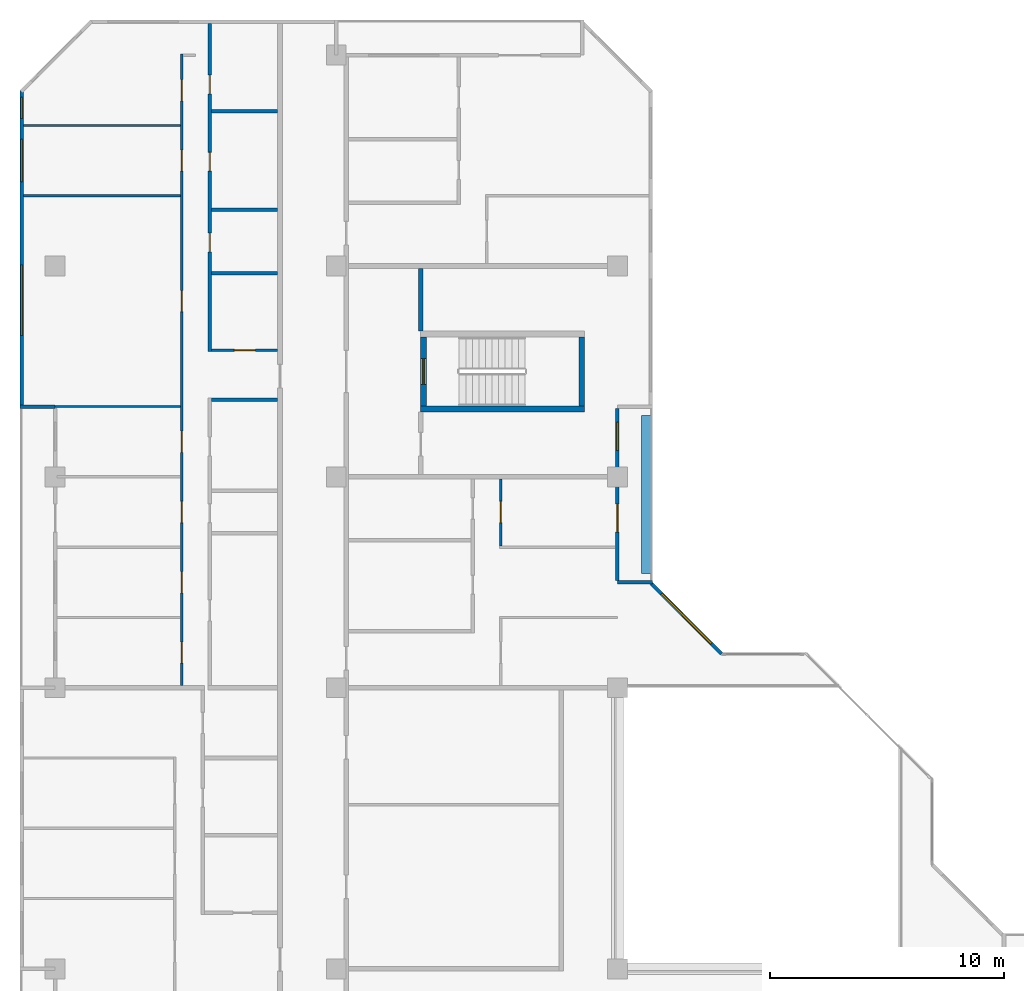
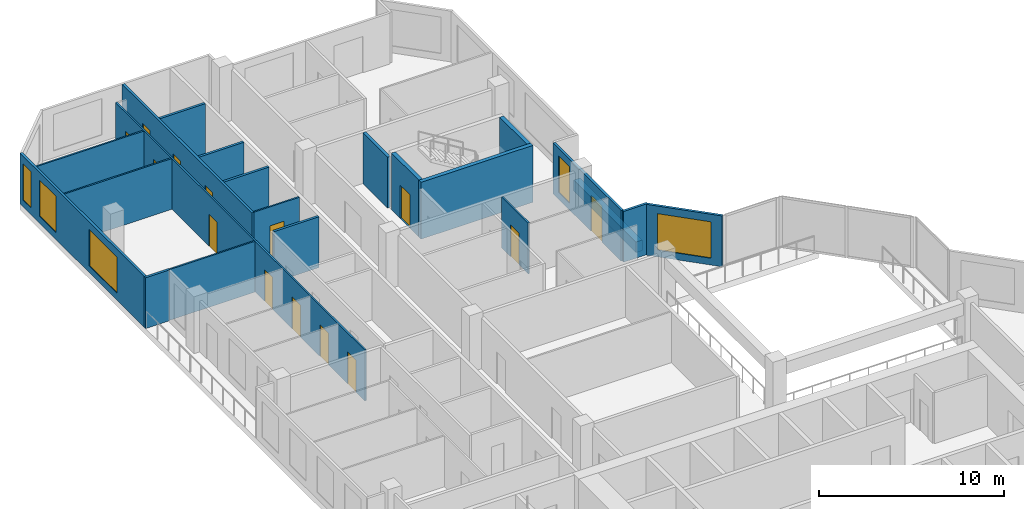
# One storey, part 10 of 15: 21 walls, 14 doors, 5 windows, 19 openings.
"""IFC4 building model written with IfcOpenShell, lengths in metres."""

from ifc_helpers import new_model, si_unit, direction, frame, frame_2d, origin, place, context, subcontext, project, spatial, rectangle, extrude, material, layer, layer_set, type_object, element, fill, save


model = new_model("IFC4")

# Units and contexts
model_context = context("Model", 3, precision=1e-05, world=origin(), true_north=direction((0.0, 1.0)))
body_context = subcontext(model_context, "Body", "Model", "MODEL_VIEW")
ifc_project = project(units=[si_unit("LENGTHUNIT", "METRE"), si_unit("AREAUNIT", "SQUARE_METRE"), si_unit("VOLUMEUNIT", "CUBIC_METRE"), si_unit("PLANEANGLEUNIT", "RADIAN"), si_unit("MASSUNIT", "GRAM", prefix="KILO")], contexts=[model_context])

# Site, building, storey
site_placement = place(None, origin())
site = spatial("IfcSite", under=ifc_project, at=site_placement, CompositionType="ELEMENT")
building_placement = place(site_placement, origin())
building = spatial("IfcBuilding", under=site, at=building_placement, Name="Chenar Terraces", CompositionType="ELEMENT")
storey_placement = place(building_placement, frame((0.0, 0.0, 249.14990234375)))
storey = spatial("IfcBuildingStorey", under=building, at=storey_placement, Name="L59", CompositionType="ELEMENT", Elevation=249.14990234375)

# Wall
ifc_material_1 = material(Name="Concrete C60/75", Category="concrete")
ifc_layer_1 = layer(ifc_material_1, 0.25)
ifc_layer_set_1 = layer_set([ifc_layer_1], Name="Concrete C60/75")
wall_type_1 = type_object("IfcWallType", Name="Core wall 250 Concrete C60/75", PredefinedType="SHEAR", material=ifc_layer_set_1)
wall_1_placement = place(storey_placement, frame((15.60009765625, 47.89990234375, 0.0), z_axis=(0.0, 0.0, 1.0), x_axis=(1.0, 0.0, 0.0)))
element("IfcWall", 1, at=wall_1_placement, inside=storey, type_object=wall_type_1, Name="Core wall ST4_S L59", PredefinedType="SHEAR", context=body_context, shape_type="SweptSolid", body=[
    extrude(rectangle(XDim=7.0, YDim=0.25, at=frame_2d((3.5, 0.0))), origin(), (0.0, 0.0, 1.0), 3.75),
])

# Wall, opening, door
wall_2_placement = place(storey_placement, frame((15.72509765625, 48.02490234375, 0.0), z_axis=(0.0, 0.0, 1.0), x_axis=(0.0, 1.0, 0.0)))
wall_2 = element("IfcWall", 2, at=wall_2_placement, inside=storey, type_object=wall_type_1, Name="Core wall ST4_W L59", PredefinedType="SHEAR", context=body_context, shape_type="SweptSolid", body=[
    extrude(rectangle(XDim=2.9501953125, YDim=0.25, at=frame_2d((1.47509765625, 0.0))), origin(), (0.0, 0.0, 1.0), 3.75),
])
opening_1_placement = place(wall_2_placement, frame((0.925048828125, 0.0, 0.0)))
opening_1 = element("IfcOpeningElement", 3, at=opening_1_placement, cuts=wall_2, Name="Opening DL59-C9", PredefinedType="OPENING", context=body_context, shape_type="SweptSolid", body=[
    extrude(rectangle(XDim=1.10009765625, YDim=2.199951171875, at=frame_2d((0.550048828125, 1.10009765625))), frame((0.0, 0.135009765625, 0.0), z_axis=(0.0, -1.0, 0.0), x_axis=(1.0, 0.0, 0.0)), (0.0, 0.0, 1.0), 0.27001953125),
])
ifc_material_2 = material(Name="Steel-framed fire-resisting door leaf", Category="steel")
door_type_1 = type_object("IfcDoorType", Name="Stair fire door FD60 1100 x 2200", OperationType="SINGLE_SWING_LEFT", PredefinedType="DOOR", material=ifc_material_2)
door_1_placement = place(opening_1_placement, frame((1.10009765625, 0.0, 0.0), z_axis=(0.0, 0.0, 1.0), x_axis=(-1.0, 0.0, 0.0)))
door_1 = element("IfcDoor", 4, at=door_1_placement, inside=storey, type_object=door_type_1, Name="Stair door DL59-C9", OperationType="SINGLE_SWING_RIGHT", OverallHeight=2.199951171875, OverallWidth=1.10009765625, PredefinedType="DOOR", context=body_context, shape_type="SweptSolid", body=[
    extrude(rectangle(XDim=1.10009765625, YDim=2.199951171875, at=frame_2d((0.550048828125, 1.10009765625))), frame((0.0, 0.02490234375, 0.0), z_axis=(0.0, -1.0, 0.0), x_axis=(1.0, 0.0, 0.0)), (0.0, 0.0, 1.0), 0.050048828125),
])
fill(opening_1, door_1)

# Walls
wall_3_placement = place(storey_placement, frame((22.47509765625, 48.02490234375, 0.0), z_axis=(0.0, 0.0, 1.0), x_axis=(0.0, 1.0, 0.0)))
element("IfcWall", 5, at=wall_3_placement, inside=storey, type_object=wall_type_1, Name="Core wall ST4_E L59", PredefinedType="SHEAR", context=body_context, shape_type="SweptSolid", body=[
    extrude(rectangle(XDim=2.9501953125, YDim=0.25, at=frame_2d((1.47509765625, 0.0))), origin(), (0.0, 0.0, 1.0), 3.75),
])
ifc_material_3 = material(Name="Gypsum board on steel studs with fire boards", Category="steel")
ifc_layer_2 = layer(ifc_material_3, 0.199951171875)
ifc_layer_set_2 = layer_set([ifc_layer_2], Name="Gypsum board on steel studs with fire boards")
wall_type_2 = type_object("IfcWallType", Name="Corridor wall 200", PredefinedType="PARTITIONING", material=ifc_layer_set_2)
wall_4_placement = place(storey_placement, frame((15.60009765625, 51.22509765625, 0.0), z_axis=(0.0, 0.0, 1.0), x_axis=(0.0, 1.0, 0.0)))
element("IfcWall", 6, at=wall_4_placement, inside=storey, type_object=wall_type_2, Name="Partition L59-047", PredefinedType="PARTITIONING", context=body_context, shape_type="SweptSolid", body=[
    extrude(rectangle(XDim=2.6748046875, YDim=0.199951171875, at=frame_2d((1.33740234375, 0.0))), origin(), (0.0, 0.0, 1.0), 3.35009765625),
])

# Wall, openings, windows
ifc_material_4 = material(Name="Aluminium framed glazing", Category="aluminium")
ifc_layer_3 = layer(ifc_material_4, 0.14990234375)
ifc_layer_set_3 = layer_set([ifc_layer_3], Name="Aluminium framed glazing")
wall_type_3 = type_object("IfcWallType", Name="Glazed flush facade wall 150", PredefinedType="SOLIDWALL", material=ifc_layer_set_3)
wall_5_placement = place(storey_placement, frame((-1.425048828125, 61.5, 0.0), z_axis=(0.0, 0.0, 1.0), x_axis=(0.0, -1.0, 0.0)))
wall_5 = element("IfcWall", 7, at=wall_5_placement, inside=storey, type_object=wall_type_3, Name="Glazed flush facade wall", PredefinedType="SOLIDWALL", context=body_context, shape_type="SweptSolid", body=[
    extrude(rectangle(XDim=13.425048828125, YDim=0.14990234375, at=frame_2d((6.71240234375, 0.0))), origin(), (0.0, 0.0, 1.0), 3.35009765625),
])
opening_2_placement = place(wall_5_placement, frame((0.300048828125, 0.0, 0.449951171875)))
opening_2 = element("IfcOpeningElement", 8, at=opening_2_placement, cuts=wall_5, Name="Opening W90x240", PredefinedType="OPENING", context=body_context, shape_type="SweptSolid", body=[
    extrude(rectangle(XDim=0.89990234375, YDim=2.39990234375, at=frame_2d((0.449951171875, 1.199951171875))), frame((0.0, 0.0849609375, 0.0), z_axis=(0.0, -1.0, 0.0), x_axis=(1.0, 0.0, 0.0)), (0.0, 0.0, 1.0), 0.169921875),
])
opening_3_placement = place(wall_5_placement, frame((2.10009765625, 0.0, 0.449951171875)))
opening_3 = element("IfcOpeningElement", 9, at=opening_3_placement, cuts=wall_5, Name="Opening W180x240", PredefinedType="OPENING", context=body_context, shape_type="SweptSolid", body=[
    extrude(rectangle(XDim=1.800048828125, YDim=2.39990234375, at=frame_2d((0.89990234375, 1.199951171875))), frame((0.0, 0.0849609375, 0.0), z_axis=(0.0, -1.0, 0.0), x_axis=(1.0, 0.0, 0.0)), (0.0, 0.0, 1.0), 0.169921875),
])
opening_4_placement = place(wall_5_placement, frame((7.46240234375, 0.0, 0.449951171875)))
opening_4 = element("IfcOpeningElement", 10, at=opening_4_placement, cuts=wall_5, Name="Opening W300x240", PredefinedType="OPENING", context=body_context, shape_type="SweptSolid", body=[
    extrude(rectangle(XDim=3.0, YDim=2.39990234375, at=frame_2d((1.5, 1.199951171875))), frame((0.0, 0.0849609375, 0.0), z_axis=(0.0, -1.0, 0.0), x_axis=(1.0, 0.0, 0.0)), (0.0, 0.0, 1.0), 0.169921875),
])
ifc_material_5 = material(Name="Low emissivity double glazing, aluminium frame", Category="aluminium")
window_type_1 = type_object("IfcWindowType", Name="Fixed light 1800 x 2400", PartitioningType="SINGLE_PANEL", PredefinedType="WINDOW", material=ifc_material_5)
window_1_placement = place(opening_3_placement, origin())
window_1 = element("IfcWindow", 11, at=window_1_placement, inside=storey, type_object=window_type_1, Name="Window", OverallHeight=2.39990234375, OverallWidth=1.800048828125, PartitioningType="SINGLE_PANEL", PredefinedType="WINDOW", context=body_context, shape_type="SweptSolid", body=[
    extrude(rectangle(XDim=1.800048828125, YDim=2.39990234375, at=frame_2d((0.89990234375, 1.199951171875))), frame((0.0, 0.030029296875, 0.0), z_axis=(0.0, -1.0, 0.0), x_axis=(1.0, 0.0, 0.0)), (0.0, 0.0, 1.0), 0.06005859375),
])
fill(opening_3, window_1)
ifc_material_6 = material(Name="Low emissivity double glazing, aluminium frame", Category="aluminium")
window_type_2 = type_object("IfcWindowType", Name="Fixed light 3000 x 2400", PartitioningType="SINGLE_PANEL", PredefinedType="WINDOW", material=ifc_material_6)
window_2_placement = place(opening_4_placement, origin())
window_2 = element("IfcWindow", 12, at=window_2_placement, inside=storey, type_object=window_type_2, Name="Window", OverallHeight=2.39990234375, OverallWidth=3.0, PartitioningType="SINGLE_PANEL", PredefinedType="WINDOW", context=body_context, shape_type="SweptSolid", body=[
    extrude(rectangle(XDim=3.0, YDim=2.39990234375, at=frame_2d((1.5, 1.199951171875))), frame((0.0, 0.030029296875, 0.0), z_axis=(0.0, -1.0, 0.0), x_axis=(1.0, 0.0, 0.0)), (0.0, 0.0, 1.0), 0.06005859375),
])
fill(opening_4, window_2)
ifc_material_7 = material(Name="Low emissivity double glazing, aluminium frame", Category="aluminium")
window_type_3 = type_object("IfcWindowType", Name="Fixed light 900 x 2400", PartitioningType="SINGLE_PANEL", PredefinedType="WINDOW", material=ifc_material_7)
window_3_placement = place(opening_2_placement, origin())
window_3 = element("IfcWindow", 13, at=window_3_placement, inside=storey, type_object=window_type_3, Name="Window", OverallHeight=2.39990234375, OverallWidth=0.89990234375, PartitioningType="SINGLE_PANEL", PredefinedType="WINDOW", context=body_context, shape_type="SweptSolid", body=[
    extrude(rectangle(XDim=0.89990234375, YDim=2.39990234375, at=frame_2d((0.449951171875, 1.199951171875))), frame((0.0, 0.030029296875, 0.0), z_axis=(0.0, -1.0, 0.0), x_axis=(1.0, 0.0, 0.0)), (0.0, 0.0, 1.0), 0.06005859375),
])
fill(opening_2, window_3)

# Wall, openings, window, door
ifc_material_8 = material(Name="Aluminium framed glazing", Category="aluminium")
ifc_layer_4 = layer(ifc_material_8, 0.14990234375)
ifc_layer_set_4 = layer_set([ifc_layer_4], Name="Aluminium framed glazing")
wall_type_4 = type_object("IfcWallType", Name="Glazed loggia back wall 150", PredefinedType="SOLIDWALL", material=ifc_layer_set_4)
wall_6_placement = place(storey_placement, frame((24.0, 40.574951171875, 0.0), z_axis=(0.0, 0.0, 1.0), x_axis=(0.0, 1.0, 0.0)))
wall_6 = element("IfcWall", 14, at=wall_6_placement, inside=storey, type_object=wall_type_4, Name="Glazed loggia back wall", PredefinedType="SOLIDWALL", context=body_context, shape_type="SweptSolid", body=[
    extrude(rectangle(XDim=7.35009765625, YDim=0.14990234375, at=frame_2d((3.675048828125, 0.0))), origin(), (0.0, 0.0, 1.0), 3.35009765625),
])
opening_5_placement = place(wall_6_placement, frame((2.0625, 0.0, 0.0)))
opening_5 = element("IfcOpeningElement", 15, at=opening_5_placement, cuts=wall_6, Name="Opening DL59-G1", PredefinedType="OPENING", context=body_context, shape_type="SweptSolid", body=[
    extrude(rectangle(XDim=1.199951171875, YDim=2.39990234375, at=frame_2d((0.60009765625, 1.199951171875))), frame((0.0, 0.0849609375, 0.0), z_axis=(0.0, -1.0, 0.0), x_axis=(1.0, 0.0, 0.0)), (0.0, 0.0, 1.0), 0.169921875),
])
opening_6_placement = place(wall_6_placement, frame((5.550048828125, 0.0, 0.449951171875)))
opening_6 = element("IfcOpeningElement", 16, at=opening_6_placement, cuts=wall_6, Name="Opening W120x240", PredefinedType="OPENING", context=body_context, shape_type="SweptSolid", body=[
    extrude(rectangle(XDim=1.199951171875, YDim=2.39990234375, at=frame_2d((0.60009765625, 1.199951171875))), frame((0.0, 0.0849609375, 0.0), z_axis=(0.0, -1.0, 0.0), x_axis=(1.0, 0.0, 0.0)), (0.0, 0.0, 1.0), 0.169921875),
])
ifc_material_9 = material(Name="Low emissivity double glazing, aluminium frame", Category="aluminium")
window_type_4 = type_object("IfcWindowType", Name="Fixed light 1200 x 2400", PartitioningType="SINGLE_PANEL", PredefinedType="WINDOW", material=ifc_material_9)
window_4_placement = place(opening_6_placement, origin())
window_4 = element("IfcWindow", 17, at=window_4_placement, inside=storey, type_object=window_type_4, Name="Window", OverallHeight=2.39990234375, OverallWidth=1.199951171875, PartitioningType="SINGLE_PANEL", PredefinedType="WINDOW", context=body_context, shape_type="SweptSolid", body=[
    extrude(rectangle(XDim=1.199951171875, YDim=2.39990234375, at=frame_2d((0.60009765625, 1.199951171875))), frame((0.0, 0.030029296875, 0.0), z_axis=(0.0, -1.0, 0.0), x_axis=(1.0, 0.0, 0.0)), (0.0, 0.0, 1.0), 0.06005859375),
])
fill(opening_6, window_4)
ifc_material_10 = material(Name="Low emissivity double glazing, aluminium frame", Category="aluminium")
door_type_2 = type_object("IfcDoorType", Name="Loggia glazed double door 1200 x 2400", OperationType="DOUBLE_DOOR_SINGLE_SWING", PredefinedType="DOOR", material=ifc_material_10)
door_2_placement = place(opening_5_placement, frame((1.199951171875, 0.0, 0.0), z_axis=(0.0, 0.0, 1.0), x_axis=(-1.0, 0.0, 0.0)))
door_2 = element("IfcDoor", 18, at=door_2_placement, inside=storey, type_object=door_type_2, Name="Loggia glazed door", OperationType="DOUBLE_DOOR_SINGLE_SWING", OverallHeight=2.39990234375, OverallWidth=1.199951171875, PredefinedType="DOOR", context=body_context, shape_type="SweptSolid", body=[
    extrude(rectangle(XDim=1.199951171875, YDim=2.39990234375, at=frame_2d((0.60009765625, 1.199951171875))), frame((0.0, 0.02490234375, 0.0), z_axis=(0.0, -1.0, 0.0), x_axis=(1.0, 0.0, 0.0)), (0.0, 0.0, 1.0), 0.050048828125),
])
fill(opening_5, door_2)

# Walls
ifc_material_11 = material(Name="Gypsum board on steel studs", Category="steel")
ifc_layer_5 = layer(ifc_material_11, 0.10009765625)
ifc_layer_set_5 = layer_set([ifc_layer_5], Name="Gypsum board on steel studs")
wall_type_5 = type_object("IfcWallType", Name="Gypsum partition 100", PredefinedType="PARTITIONING", material=ifc_layer_set_5)
wall_7_placement = place(storey_placement, frame((-1.35107421875, 60.0, 0.0), z_axis=(0.0, 0.0, 1.0), x_axis=(1.0, 0.0, 0.0)))
element("IfcWall", 19, at=wall_7_placement, inside=storey, type_object=wall_type_5, Name="Partition L59-003", PredefinedType="PARTITIONING", context=body_context, shape_type="SweptSolid", body=[
    extrude(rectangle(XDim=6.701171875, YDim=0.10009765625, at=frame_2d((3.3505859375, 0.0))), origin(), (0.0, 0.0, 1.0), 3.35009765625),
])
wall_8_placement = place(storey_placement, frame((0.0, 48.0, 0.0), z_axis=(0.0, 0.0, 1.0), x_axis=(1.0, 0.0, 0.0)))
element("IfcWall", 20, at=wall_8_placement, inside=storey, type_object=wall_type_5, Name="Partition L59-006", PredefinedType="PARTITIONING", context=body_context, shape_type="SweptSolid", body=[
    extrude(rectangle(XDim=5.35009765625, YDim=0.10009765625, at=frame_2d((2.675048828125, 0.0))), origin(), (0.0, 0.0, 1.0), 3.35009765625),
])
wall_9_placement = place(storey_placement, frame((-1.35009765625, 57.0, 0.0), z_axis=(0.0, 0.0, 1.0), x_axis=(1.0, 0.0, 0.0)))
element("IfcWall", 21, at=wall_9_placement, inside=storey, type_object=wall_type_5, Name="Partition L59-007", PredefinedType="PARTITIONING", context=body_context, shape_type="SweptSolid", body=[
    extrude(rectangle(XDim=6.7001953125, YDim=0.10009765625, at=frame_2d((3.35009765625, 0.0))), origin(), (0.0, 0.0, 1.0), 3.35009765625),
])

# Wall, openings, doors
wall_10_placement = place(storey_placement, frame((5.39990234375, 36.10009765625, 0.0), z_axis=(0.0, 0.0, 1.0), x_axis=(0.0, 1.0, 0.0)))
wall_10 = element("IfcWall", 22, at=wall_10_placement, inside=storey, type_object=wall_type_5, Name="Partition L59-015", PredefinedType="PARTITIONING", context=body_context, shape_type="SweptSolid", body=[
    extrude(rectangle(XDim=26.949951171875, YDim=0.10009765625, at=frame_2d((13.47509765625, 0.0))), origin(), (0.0, 0.0, 1.0), 3.35009765625),
])
opening_7_placement = place(wall_10_placement, frame((0.949951171875, 0.0, 0.0)))
opening_7 = element("IfcOpeningElement", 23, at=opening_7_placement, cuts=wall_10, Name="Opening DL59-27", PredefinedType="OPENING", context=body_context, shape_type="SweptSolid", body=[
    extrude(rectangle(XDim=0.89990234375, YDim=2.10009765625, at=frame_2d((0.449951171875, 1.050048828125))), frame((0.0, 0.06005859375, 0.0), z_axis=(0.0, -1.0, 0.0), x_axis=(1.0, 0.0, 0.0)), (0.0, 0.0, 1.0), 0.1201171875),
])
opening_8_placement = place(wall_10_placement, frame((3.949951171875, 0.0, 0.0)))
opening_8 = element("IfcOpeningElement", 24, at=opening_8_placement, cuts=wall_10, Name="Opening DL59-28", PredefinedType="OPENING", context=body_context, shape_type="SweptSolid", body=[
    extrude(rectangle(XDim=0.89990234375, YDim=2.10009765625, at=frame_2d((0.449951171875, 1.050048828125))), frame((0.0, 0.06005859375, 0.0), z_axis=(0.0, -1.0, 0.0), x_axis=(1.0, 0.0, 0.0)), (0.0, 0.0, 1.0), 0.1201171875),
])
opening_9_placement = place(wall_10_placement, frame((6.949951171875, 0.0, 0.0)))
opening_9 = element("IfcOpeningElement", 25, at=opening_9_placement, cuts=wall_10, Name="Opening DL59-29", PredefinedType="OPENING", context=body_context, shape_type="SweptSolid", body=[
    extrude(rectangle(XDim=0.89990234375, YDim=2.10009765625, at=frame_2d((0.449951171875, 1.050048828125))), frame((0.0, 0.06005859375, 0.0), z_axis=(0.0, -1.0, 0.0), x_axis=(1.0, 0.0, 0.0)), (0.0, 0.0, 1.0), 0.1201171875),
])
opening_10_placement = place(wall_10_placement, frame((9.949951171875, 0.0, 0.0)))
opening_10 = element("IfcOpeningElement", 26, at=opening_10_placement, cuts=wall_10, Name="Opening DL59-30", PredefinedType="OPENING", context=body_context, shape_type="SweptSolid", body=[
    extrude(rectangle(XDim=0.89990234375, YDim=2.10009765625, at=frame_2d((0.449951171875, 1.050048828125))), frame((0.0, 0.06005859375, 0.0), z_axis=(0.0, -1.0, 0.0), x_axis=(1.0, 0.0, 0.0)), (0.0, 0.0, 1.0), 0.1201171875),
])
opening_11_placement = place(wall_10_placement, frame((21.949951171875, 0.0, 0.0)))
opening_11 = element("IfcOpeningElement", 27, at=opening_11_placement, cuts=wall_10, Name="Opening DL59-31", PredefinedType="OPENING", context=body_context, shape_type="SweptSolid", body=[
    extrude(rectangle(XDim=0.89990234375, YDim=2.10009765625, at=frame_2d((0.449951171875, 1.050048828125))), frame((0.0, 0.06005859375, 0.0), z_axis=(0.0, -1.0, 0.0), x_axis=(1.0, 0.0, 0.0)), (0.0, 0.0, 1.0), 0.1201171875),
])
opening_12_placement = place(wall_10_placement, frame((24.949951171875, 0.0, 0.0)))
opening_12 = element("IfcOpeningElement", 28, at=opening_12_placement, cuts=wall_10, Name="Opening DL59-32", PredefinedType="OPENING", context=body_context, shape_type="SweptSolid", body=[
    extrude(rectangle(XDim=0.89990234375, YDim=2.10009765625, at=frame_2d((0.449951171875, 1.050048828125))), frame((0.0, 0.06005859375, 0.0), z_axis=(0.0, -1.0, 0.0), x_axis=(1.0, 0.0, 0.0)), (0.0, 0.0, 1.0), 0.1201171875),
])
opening_13_placement = place(wall_10_placement, frame((15.949951171875, 0.0, 0.0)))
opening_13 = element("IfcOpeningElement", 29, at=opening_13_placement, cuts=wall_10, Name="Opening DL59-36", PredefinedType="OPENING", context=body_context, shape_type="SweptSolid", body=[
    extrude(rectangle(XDim=0.89990234375, YDim=2.10009765625, at=frame_2d((0.449951171875, 1.050048828125))), frame((0.0, 0.06005859375, 0.0), z_axis=(0.0, -1.0, 0.0), x_axis=(1.0, 0.0, 0.0)), (0.0, 0.0, 1.0), 0.1201171875),
])
ifc_material_12 = material(Name="Veneered timber door leaf", Category="wood")
door_type_3 = type_object("IfcDoorType", Name="Door 900 x 2100", OperationType="SINGLE_SWING_LEFT", PredefinedType="DOOR", material=ifc_material_12)
door_3_placement = place(opening_7_placement, origin())
door_3 = element("IfcDoor", 30, at=door_3_placement, inside=storey, type_object=door_type_3, Name="Door DL59-27", OperationType="SINGLE_SWING_RIGHT", OverallHeight=2.10009765625, OverallWidth=0.89990234375, PredefinedType="DOOR", context=body_context, shape_type="SweptSolid", body=[
    extrude(rectangle(XDim=0.89990234375, YDim=2.10009765625, at=frame_2d((0.449951171875, 1.050048828125))), frame((0.0, 0.02490234375, 0.0), z_axis=(0.0, -1.0, 0.0), x_axis=(1.0, 0.0, 0.0)), (0.0, 0.0, 1.0), 0.050048828125),
])
fill(opening_7, door_3)
door_4_placement = place(opening_8_placement, origin())
door_4 = element("IfcDoor", 31, at=door_4_placement, inside=storey, type_object=door_type_3, Name="Door DL59-28", OperationType="SINGLE_SWING_RIGHT", OverallHeight=2.10009765625, OverallWidth=0.89990234375, PredefinedType="DOOR", context=body_context, shape_type="SweptSolid", body=[
    extrude(rectangle(XDim=0.89990234375, YDim=2.10009765625, at=frame_2d((0.449951171875, 1.050048828125))), frame((0.0, 0.02490234375, 0.0), z_axis=(0.0, -1.0, 0.0), x_axis=(1.0, 0.0, 0.0)), (0.0, 0.0, 1.0), 0.050048828125),
])
fill(opening_8, door_4)
door_5_placement = place(opening_9_placement, origin())
door_5 = element("IfcDoor", 32, at=door_5_placement, inside=storey, type_object=door_type_3, Name="Door DL59-29", OperationType="SINGLE_SWING_RIGHT", OverallHeight=2.10009765625, OverallWidth=0.89990234375, PredefinedType="DOOR", context=body_context, shape_type="SweptSolid", body=[
    extrude(rectangle(XDim=0.89990234375, YDim=2.10009765625, at=frame_2d((0.449951171875, 1.050048828125))), frame((0.0, 0.02490234375, 0.0), z_axis=(0.0, -1.0, 0.0), x_axis=(1.0, 0.0, 0.0)), (0.0, 0.0, 1.0), 0.050048828125),
])
fill(opening_9, door_5)
door_6_placement = place(opening_10_placement, origin())
door_6 = element("IfcDoor", 33, at=door_6_placement, inside=storey, type_object=door_type_3, Name="Door DL59-30", OperationType="SINGLE_SWING_RIGHT", OverallHeight=2.10009765625, OverallWidth=0.89990234375, PredefinedType="DOOR", context=body_context, shape_type="SweptSolid", body=[
    extrude(rectangle(XDim=0.89990234375, YDim=2.10009765625, at=frame_2d((0.449951171875, 1.050048828125))), frame((0.0, 0.02490234375, 0.0), z_axis=(0.0, -1.0, 0.0), x_axis=(1.0, 0.0, 0.0)), (0.0, 0.0, 1.0), 0.050048828125),
])
fill(opening_10, door_6)
door_7_placement = place(opening_11_placement, origin())
door_7 = element("IfcDoor", 34, at=door_7_placement, inside=storey, type_object=door_type_3, Name="Door DL59-31", OperationType="SINGLE_SWING_RIGHT", OverallHeight=2.10009765625, OverallWidth=0.89990234375, PredefinedType="DOOR", context=body_context, shape_type="SweptSolid", body=[
    extrude(rectangle(XDim=0.89990234375, YDim=2.10009765625, at=frame_2d((0.449951171875, 1.050048828125))), frame((0.0, 0.02490234375, 0.0), z_axis=(0.0, -1.0, 0.0), x_axis=(1.0, 0.0, 0.0)), (0.0, 0.0, 1.0), 0.050048828125),
])
fill(opening_11, door_7)
door_8_placement = place(opening_12_placement, origin())
door_8 = element("IfcDoor", 35, at=door_8_placement, inside=storey, type_object=door_type_3, Name="Door DL59-32", OperationType="SINGLE_SWING_LEFT", OverallHeight=2.10009765625, OverallWidth=0.89990234375, PredefinedType="DOOR", context=body_context, shape_type="SweptSolid", body=[
    extrude(rectangle(XDim=0.89990234375, YDim=2.10009765625, at=frame_2d((0.449951171875, 1.050048828125))), frame((0.0, 0.02490234375, 0.0), z_axis=(0.0, -1.0, 0.0), x_axis=(1.0, 0.0, 0.0)), (0.0, 0.0, 1.0), 0.050048828125),
])
fill(opening_12, door_8)
door_9_placement = place(opening_13_placement, frame((0.89990234375, 0.0, 0.0), z_axis=(0.0, 0.0, 1.0), x_axis=(-1.0, 0.0, 0.0)))
door_9 = element("IfcDoor", 36, at=door_9_placement, inside=storey, type_object=door_type_3, Name="Door DL59-36", OperationType="SINGLE_SWING_LEFT", OverallHeight=2.10009765625, OverallWidth=0.89990234375, PredefinedType="DOOR", context=body_context, shape_type="SweptSolid", body=[
    extrude(rectangle(XDim=0.89990234375, YDim=2.10009765625, at=frame_2d((0.449951171875, 1.050048828125))), frame((0.0, 0.02490234375, 0.0), z_axis=(0.0, -1.0, 0.0), x_axis=(1.0, 0.0, 0.0)), (0.0, 0.0, 1.0), 0.050048828125),
])
fill(opening_13, door_9)

# Wall, opening, door
wall_11_placement = place(storey_placement, frame((6.675048828125, 50.39990234375, 0.0), z_axis=(0.0, 0.0, 1.0), x_axis=(1.0, 0.0, 0.0)))
wall_11 = element("IfcWall", 37, at=wall_11_placement, inside=storey, type_object=wall_type_5, Name="Partition L59-027", PredefinedType="PARTITIONING", context=body_context, shape_type="SweptSolid", body=[
    extrude(rectangle(XDim=2.824951171875, YDim=0.10009765625, at=frame_2d((1.41259765625, 0.0))), origin(), (0.0, 0.0, 1.0), 3.35009765625),
])
opening_14_placement = place(wall_11_placement, frame((0.97509765625, 0.0, 0.0)))
opening_14 = element("IfcOpeningElement", 38, at=opening_14_placement, cuts=wall_11, Name="Opening DL59-37", PredefinedType="OPENING", context=body_context, shape_type="SweptSolid", body=[
    extrude(rectangle(XDim=0.89990234375, YDim=2.10009765625, at=frame_2d((0.449951171875, 1.050048828125))), frame((0.0, 0.06005859375, 0.0), z_axis=(0.0, -1.0, 0.0), x_axis=(1.0, 0.0, 0.0)), (0.0, 0.0, 1.0), 0.1201171875),
])
door_10_placement = place(opening_14_placement, origin())
door_10 = element("IfcDoor", 39, at=door_10_placement, inside=storey, type_object=door_type_3, Name="Door DL59-37", OperationType="SINGLE_SWING_RIGHT", OverallHeight=2.10009765625, OverallWidth=0.89990234375, PredefinedType="DOOR", context=body_context, shape_type="SweptSolid", body=[
    extrude(rectangle(XDim=0.89990234375, YDim=2.10009765625, at=frame_2d((0.449951171875, 1.050048828125))), frame((0.0, 0.02490234375, 0.0), z_axis=(0.0, -1.0, 0.0), x_axis=(1.0, 0.0, 0.0)), (0.0, 0.0, 1.0), 0.050048828125),
])
fill(opening_14, door_10)

wall_12_placement = place(storey_placement, frame((19.02490234375, 42.050048828125, 0.0), z_axis=(0.0, 0.0, 1.0), x_axis=(0.0, 1.0, 0.0)))
wall_12 = element("IfcWall", 40, at=wall_12_placement, inside=storey, type_object=wall_type_5, Name="Partition L59-055", PredefinedType="PARTITIONING", context=body_context, shape_type="SweptSolid", body=[
    extrude(rectangle(XDim=2.849853515625, YDim=0.10009765625, at=frame_2d((1.4248046875, 0.0))), origin(), (0.0, 0.0, 1.0), 3.35009765625),
])
opening_15_placement = place(wall_12_placement, frame((1.0, 0.0, 0.0)))
opening_15 = element("IfcOpeningElement", 41, at=opening_15_placement, cuts=wall_12, Name="Opening DL59-19", PredefinedType="OPENING", context=body_context, shape_type="SweptSolid", body=[
    extrude(rectangle(XDim=0.89990234375, YDim=2.10009765625, at=frame_2d((0.449951171875, 1.050048828125))), frame((0.0, 0.06005859375, 0.0), z_axis=(0.0, -1.0, 0.0), x_axis=(1.0, 0.0, 0.0)), (0.0, 0.0, 1.0), 0.1201171875),
])
door_11_placement = place(opening_15_placement, frame((0.89990234375, 0.0, 0.0), z_axis=(0.0, 0.0, 1.0), x_axis=(-1.0, 0.0, 0.0)))
door_11 = element("IfcDoor", 42, at=door_11_placement, inside=storey, type_object=door_type_3, Name="Door DL59-19", OperationType="SINGLE_SWING_LEFT", OverallHeight=2.10009765625, OverallWidth=0.89990234375, PredefinedType="DOOR", context=body_context, shape_type="SweptSolid", body=[
    extrude(rectangle(XDim=0.89990234375, YDim=2.10009765625, at=frame_2d((0.449951171875, 1.050048828125))), frame((0.0, 0.02490234375, 0.0), z_axis=(0.0, -1.0, 0.0), x_axis=(1.0, 0.0, 0.0)), (0.0, 0.0, 1.0), 0.050048828125),
])
fill(opening_15, door_11)

# Walls
ifc_material_13 = material(Name="Terracotta cladding on insulated backing", Category="masonry")
ifc_layer_6 = layer(ifc_material_13, 0.14990234375)
ifc_layer_set_6 = layer_set([ifc_layer_6], Name="Terracotta cladding on insulated backing")
wall_type_6 = type_object("IfcWallType", Name="Loggia return wall 150", PredefinedType="SOLIDWALL", material=ifc_layer_set_6)
for number, where, z_axis, x_axis, name in (
    (43, (25.5, 40.5, 0.0), (0.0, 0.0, 1.0), (-1.0, 0.0, 0.0), "Loggia return wall"),
    (44, (-1.5, 48.0, 0.0), (0.0, 0.0, 1.0), (1.0, 0.0, 0.0), "Loggia return wall"),
):
    element("IfcWall", number, at=place(storey_placement, frame(where, z_axis=z_axis, x_axis=x_axis)), inside=storey, type_object=wall_type_6, Name=name, PredefinedType="SOLIDWALL", context=body_context, shape_type="SweptSolid", body=[
        extrude(rectangle(XDim=1.5, YDim=0.14990234375, at=frame_2d((0.75, 0.0))), origin(), (0.0, 0.0, 1.0), 3.35009765625),
    ])

# Wall, opening, window
ifc_material_14 = material(Name="Terracotta cladding on insulated backing", Category="masonry")
ifc_layer_7 = layer(ifc_material_14, 0.14990234375)
ifc_layer_set_7 = layer_set([ifc_layer_7], Name="Terracotta cladding on insulated backing")
wall_type_7 = type_object("IfcWallType", Name="Terracotta rainscreen wall 150", PredefinedType="SOLIDWALL", material=ifc_layer_set_7)
wall_13_placement = place(storey_placement, frame((28.447021484375, 37.447021484375, 0.0), z_axis=(0.0, 0.0, 1.0), x_axis=(-0.707106781187, 0.707106781187, 0.0)))
wall_13 = element("IfcWall", 45, at=wall_13_placement, inside=storey, type_object=wall_type_7, Name="Terracotta rainscreen wall", PredefinedType="SOLIDWALL", context=body_context, shape_type="SweptSolid", body=[
    extrude(rectangle(XDim=4.24267578125, YDim=0.14990234375, at=frame_2d((2.121337890625, 0.0))), origin(), (0.0, 0.0, 1.0), 3.35009765625),
])
opening_16_placement = place(wall_13_placement, frame((0.621337890625, 0.0, 0.449951171875)))
opening_16 = element("IfcOpeningElement", 46, at=opening_16_placement, cuts=wall_13, Name="Opening W300x240", PredefinedType="OPENING", context=body_context, shape_type="SweptSolid", body=[
    extrude(rectangle(XDim=3.0, YDim=2.39990234375, at=frame_2d((1.5, 1.199951171875))), frame((0.0, 0.0849609375, 0.0), z_axis=(0.0, -1.0, 0.0), x_axis=(1.0, 0.0, 0.0)), (0.0, 0.0, 1.0), 0.169921875),
])
window_5_placement = place(opening_16_placement, origin())
window_5 = element("IfcWindow", 47, at=window_5_placement, inside=storey, type_object=window_type_2, Name="Window", OverallHeight=2.39990234375, OverallWidth=3.0, PartitioningType="SINGLE_PANEL", PredefinedType="WINDOW", context=body_context, shape_type="SweptSolid", body=[
    extrude(rectangle(XDim=3.0, YDim=2.39990234375, at=frame_2d((1.5, 1.199951171875))), frame((0.0, 0.030029296875, 0.0), z_axis=(0.0, -1.0, 0.0), x_axis=(1.0, 0.0, 0.0)), (0.0, 0.0, 1.0), 0.06005859375),
])
fill(opening_16, window_5)

# Wall
ifc_material_15 = material(Name="GRP planter trough")
ifc_layer_8 = layer(ifc_material_15, 0.39990234375)
ifc_layer_set_8 = layer_set([ifc_layer_8], Name="GRP planter trough")
wall_type_8 = type_object("IfcWallType", Name="Vertical greenery planter 400", PredefinedType="SOLIDWALL", material=ifc_layer_set_8)
wall_14_placement = place(storey_placement, frame((25.22900390625, 40.875, 0.0), z_axis=(0.0, 0.0, 1.0), x_axis=(0.0, 1.0, 0.0)))
element("IfcWall", 48, at=wall_14_placement, inside=storey, type_object=wall_type_8, Name="Vertical greenery planter", PredefinedType="SOLIDWALL", context=body_context, shape_type="SweptSolid", body=[
    extrude(rectangle(XDim=6.75, YDim=0.39990234375, at=frame_2d((3.375, 0.0))), origin(), (0.0, 0.0, 1.0), 0.7001953125),
])

# Wall, openings, doors
ifc_material_16 = material(Name="Moisture-resistant gypsum board on steel studs", Category="steel")
ifc_layer_9 = layer(ifc_material_16, 0.14990234375)
ifc_layer_set_9 = layer_set([ifc_layer_9], Name="Moisture-resistant gypsum board on steel studs")
wall_type_9 = type_object("IfcWallType", Name="Wet-room partition 150", PredefinedType="PARTITIONING", material=ifc_layer_set_9)
wall_15_placement = place(storey_placement, frame((6.60009765625, 50.35009765625, 0.0), z_axis=(0.0, 0.0, 1.0), x_axis=(0.0, 1.0, 0.0)))
wall_15 = element("IfcWall", 49, at=wall_15_placement, inside=storey, type_object=wall_type_9, Name="Partition L59-023", PredefinedType="PARTITIONING", context=body_context, shape_type="SweptSolid", body=[
    extrude(rectangle(XDim=14.0, YDim=0.14990234375, at=frame_2d((7.0, 0.0))), origin(), (0.0, 0.0, 1.0), 3.35009765625),
])
opening_17_placement = place(wall_15_placement, frame((11.0, 0.0, 0.0)))
opening_17 = element("IfcOpeningElement", 50, at=opening_17_placement, cuts=wall_15, Name="Opening DL59-35", PredefinedType="OPENING", context=body_context, shape_type="SweptSolid", body=[
    extrude(rectangle(XDim=0.800048828125, YDim=2.10009765625, at=frame_2d((0.39990234375, 1.050048828125))), frame((0.0, 0.0849609375, 0.0), z_axis=(0.0, -1.0, 0.0), x_axis=(1.0, 0.0, 0.0)), (0.0, 0.0, 1.0), 0.169921875),
])
opening_18_placement = place(wall_15_placement, frame((4.25, 0.0, 0.0)))
opening_18 = element("IfcOpeningElement", 51, at=opening_18_placement, cuts=wall_15, Name="Opening DL59-39", PredefinedType="OPENING", context=body_context, shape_type="SweptSolid", body=[
    extrude(rectangle(XDim=0.800048828125, YDim=2.10009765625, at=frame_2d((0.39990234375, 1.050048828125))), frame((0.0, 0.0849609375, 0.0), z_axis=(0.0, -1.0, 0.0), x_axis=(1.0, 0.0, 0.0)), (0.0, 0.0, 1.0), 0.169921875),
])
opening_19_placement = place(wall_15_placement, frame((7.699951171875, 0.0, 0.0)))
opening_19 = element("IfcOpeningElement", 52, at=opening_19_placement, cuts=wall_15, Name="Opening DL59-40", PredefinedType="OPENING", context=body_context, shape_type="SweptSolid", body=[
    extrude(rectangle(XDim=0.800048828125, YDim=2.10009765625, at=frame_2d((0.39990234375, 1.050048828125))), frame((0.0, 0.0849609375, 0.0), z_axis=(0.0, -1.0, 0.0), x_axis=(1.0, 0.0, 0.0)), (0.0, 0.0, 1.0), 0.169921875),
])
ifc_material_17 = material(Name="Veneered timber door leaf", Category="wood")
door_type_4 = type_object("IfcDoorType", Name="Door 800 x 2100", OperationType="SINGLE_SWING_LEFT", PredefinedType="DOOR", material=ifc_material_17)
door_12_placement = place(opening_17_placement, frame((0.800048828125, 0.0, 0.0), z_axis=(0.0, 0.0, 1.0), x_axis=(-1.0, 0.0, 0.0)))
door_12 = element("IfcDoor", 53, at=door_12_placement, inside=storey, type_object=door_type_4, Name="Door DL59-35", OperationType="SINGLE_SWING_RIGHT", OverallHeight=2.10009765625, OverallWidth=0.800048828125, PredefinedType="DOOR", context=body_context, shape_type="SweptSolid", body=[
    extrude(rectangle(XDim=0.800048828125, YDim=2.10009765625, at=frame_2d((0.39990234375, 1.050048828125))), frame((0.0, 0.02490234375, 0.0), z_axis=(0.0, -1.0, 0.0), x_axis=(1.0, 0.0, 0.0)), (0.0, 0.0, 1.0), 0.050048828125),
])
fill(opening_17, door_12)
door_13_placement = place(opening_18_placement, frame((0.800048828125, 0.0, 0.0), z_axis=(0.0, 0.0, 1.0), x_axis=(-1.0, 0.0, 0.0)))
door_13 = element("IfcDoor", 54, at=door_13_placement, inside=storey, type_object=door_type_4, Name="Door DL59-39", OperationType="SINGLE_SWING_RIGHT", OverallHeight=2.10009765625, OverallWidth=0.800048828125, PredefinedType="DOOR", context=body_context, shape_type="SweptSolid", body=[
    extrude(rectangle(XDim=0.800048828125, YDim=2.10009765625, at=frame_2d((0.39990234375, 1.050048828125))), frame((0.0, 0.02490234375, 0.0), z_axis=(0.0, -1.0, 0.0), x_axis=(1.0, 0.0, 0.0)), (0.0, 0.0, 1.0), 0.050048828125),
])
fill(opening_18, door_13)
door_14_placement = place(opening_19_placement, frame((0.800048828125, 0.0, 0.0), z_axis=(0.0, 0.0, 1.0), x_axis=(-1.0, 0.0, 0.0)))
door_14 = element("IfcDoor", 55, at=door_14_placement, inside=storey, type_object=door_type_4, Name="Door DL59-40", OperationType="SINGLE_SWING_RIGHT", OverallHeight=2.10009765625, OverallWidth=0.800048828125, PredefinedType="DOOR", context=body_context, shape_type="SweptSolid", body=[
    extrude(rectangle(XDim=0.800048828125, YDim=2.10009765625, at=frame_2d((0.39990234375, 1.050048828125))), frame((0.0, 0.02490234375, 0.0), z_axis=(0.0, -1.0, 0.0), x_axis=(1.0, 0.0, 0.0)), (0.0, 0.0, 1.0), 0.050048828125),
])
fill(opening_19, door_14)

# Walls
for number, where, z_axis, x_axis, name in (
    (56, (6.675048828125, 48.300048828125, 0.0), (0.0, 0.0, 1.0), (1.0, 0.0, 0.0), "Partition L59-026"),
    (57, (6.675048828125, 53.699951171875, 0.0), (0.0, 0.0, 1.0), (1.0, 0.0, 0.0), "Partition L59-028"),
    (58, (6.675048828125, 56.39990234375, 0.0), (0.0, 0.0, 1.0), (1.0, 0.0, 0.0), "Partition L59-029"),
    (59, (6.675048828125, 60.60009765625, 0.0), (0.0, 0.0, 1.0), (1.0, 0.0, 0.0), "Partition L59-030"),
):
    element("IfcWall", number, at=place(storey_placement, frame(where, z_axis=z_axis, x_axis=x_axis)), inside=storey, type_object=wall_type_9, Name=name, PredefinedType="PARTITIONING", context=body_context, shape_type="SweptSolid", body=[
        extrude(rectangle(XDim=2.824951171875, YDim=0.14990234375, at=frame_2d((1.41259765625, 0.0))), origin(), (0.0, 0.0, 1.0), 3.35009765625),
    ])

save(model, "model.ifc")
